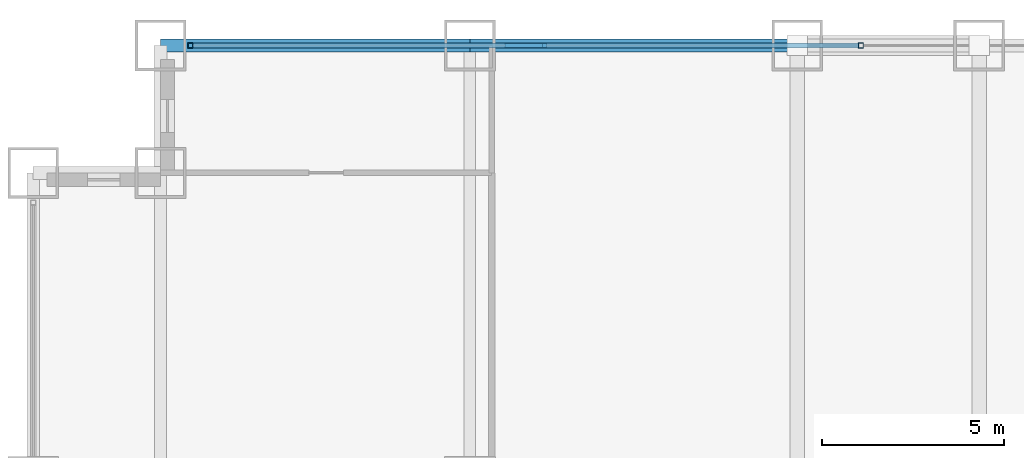
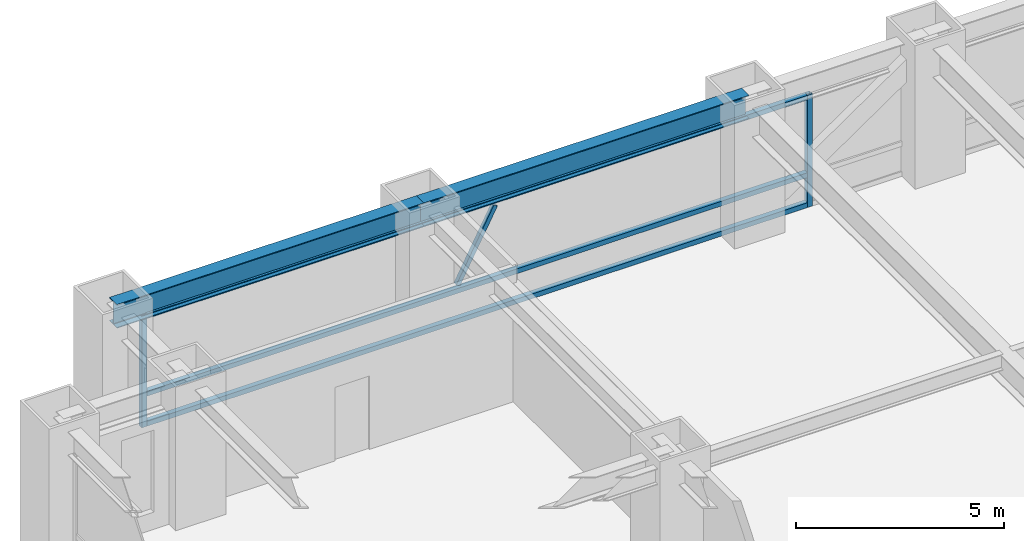
# One storey, part 19 of 28: 6 members, 2 beams, 1 element without a shape of its own.
"""IFC4 building model written with IfcOpenShell, lengths in metres."""

from ifc_helpers import new_model, si_unit, direction, frame, origin, origin_2d, place, context, subcontext, project, spatial, hollow_rectangle, i_section, extrude, source, transform, mapped, material, material_profile, profile_set, type_object, element, aggregate, save


model = new_model("IFC4")

# Units and contexts
model_context = context("Model", 3, precision=1e-05, world=origin(), true_north=direction((0.0, 1.0)))
body_context = subcontext(model_context, "Body", "Model", "MODEL_VIEW")
ifc_project = project(units=[si_unit("LENGTHUNIT", "METRE"), si_unit("AREAUNIT", "SQUARE_METRE"), si_unit("VOLUMEUNIT", "CUBIC_METRE"), si_unit("PLANEANGLEUNIT", "RADIAN"), si_unit("MASSUNIT", "GRAM", prefix="KILO")], contexts=[model_context])

# Site, building, storey
site_placement = place(None, origin())
site = spatial("IfcSite", under=ifc_project, at=site_placement, CompositionType="ELEMENT")
building_placement = place(site_placement, origin())
building = spatial("IfcBuilding", under=site, at=building_placement, Name="Khorayat Bourse Tower", CompositionType="ELEMENT")
storey_placement = place(building_placement, frame((0.0, 0.0, 62.0)))
storey = spatial("IfcBuildingStorey", under=building, at=storey_placement, Name="L13", CompositionType="ELEMENT", Elevation=62.0)

# Beams
ifc_material_1 = material(Name="Steel ASTM A992 Grade 50", Category="steel")
ifc_material_profile_1 = material_profile(ifc_material_1, i_section(OverallWidth=0.35498046875, OverallDepth=0.695068359375, WebThickness=0.015380859375, FlangeThickness=0.02490234375, FilletRadius=0.01806640625, at=origin_2d()), Name="W690X217")
ifc_profile_set_1 = profile_set([ifc_material_profile_1], Name="Steel ASTM A992 Grade 50")
beam_type = type_object("IfcBeamType", Name="BM-SPAN-690", PredefinedType="SPANDREL", material=ifc_profile_set_1)
shared_shape_1 = source(origin(), body_context, "Body", "SweptSolid", [
    extrude(i_section(OverallWidth=0.35498046875, OverallDepth=0.695068359375, WebThickness=0.015380859375, FlangeThickness=0.02490234375, FilletRadius=0.01806640625, at=origin_2d()), origin(), (0.0, 0.0, 1.0), 8.5),
])
beam_1_placement = place(storey_placement, frame((-28.5, 32.0, 3.592529296875), z_axis=(1.0, 0.0, 0.0), x_axis=(0.0, 1.0, 0.0)))
element("IfcBeam", 1, at=beam_1_placement, inside=storey, type_object=beam_type, Name="L13 BM-SPAN-690 BM-L13-SPN-051", PredefinedType="SPANDREL", context=body_context, shape_type="MappedRepresentation", body=[
    mapped(shared_shape_1, transform((0.0, 0.0, 0.0), scale=1.0)),
])
shared_shape_2 = source(origin(), body_context, "Body", "SweptSolid", [
    extrude(i_section(OverallWidth=0.35498046875, OverallDepth=0.695068359375, WebThickness=0.015380859375, FlangeThickness=0.02490234375, FilletRadius=0.01806640625, at=origin_2d()), origin(), (0.0, 0.0, 1.0), 9.0),
])
beam_2_placement = place(storey_placement, frame((-20.0, 32.0, 3.592529296875), z_axis=(1.0, 0.0, 0.0), x_axis=(0.0, 1.0, 0.0)))
element("IfcBeam", 2, at=beam_2_placement, inside=storey, type_object=beam_type, Name="L13 BM-SPAN-690 BM-L13-SPN-050", PredefinedType="SPANDREL", context=body_context, shape_type="MappedRepresentation", body=[
    mapped(shared_shape_2, transform((0.0, 0.0, 0.0), scale=1.0)),
])

# Curtain wall, members
ifc_material_2 = material(Name="Aluminium EN AW-6063 T6", Category="aluminium")
curtain_wall_type = type_object("IfcCurtainWallType", Name="CW-SYS-02", PredefinedType="NOTDEFINED", material=ifc_material_2)
curtain_wall_placement = place(storey_placement, origin())
curtain_wall = element("IfcCurtainWall", 3, at=curtain_wall_placement, inside=storey, type_object=curtain_wall_type, Name="L13 Curtain Wall CW-L13-N1", PredefinedType="NOTDEFINED")
ifc_material_profile_2 = material_profile(ifc_material_2, hollow_rectangle(XDim=0.139892578125, YDim=0.139892578125, WallThickness=0.006103515625, at=origin_2d()), Name="ALU 140x140x6")
ifc_profile_set_2 = profile_set([ifc_material_profile_2], Name="Aluminium EN AW-6063 T6")
member_type_1 = type_object("IfcMemberType", Name="CWT-HORZ-140", PredefinedType="USERDEFINED", material=ifc_profile_set_2)
shared_shape_3 = source(origin(), body_context, "Body", "SweptSolid", [
    extrude(hollow_rectangle(XDim=0.139892578125, YDim=0.139892578125, WallThickness=0.006103515625, at=origin_2d()), origin(), (0.0, 0.0, 1.0), 18.2900390625),
])
member_1_placement = place(storey_placement, frame((-27.610107421875, 32.0, 0.070068359375), z_axis=(1.0, 0.0, 0.0), x_axis=(0.0, 1.0, 0.0)))
member_1 = element("IfcMember", 4, at=member_1_placement, type_object=member_type_1, Name="CW-L13-N1 Horizontal Transom 1-1", ObjectType="TRANSOM", PredefinedType="USERDEFINED", context=body_context, shape_type="MappedRepresentation", body=[
    mapped(shared_shape_3, transform((0.0, 0.0, 0.0), scale=1.0)),
])
member_2_placement = place(storey_placement, frame((-27.610107421875, 32.0, 0.949951171875), z_axis=(1.0, 0.0, 0.0), x_axis=(0.0, 1.0, 0.0)))
member_2 = element("IfcMember", 5, at=member_2_placement, type_object=member_type_1, Name="CW-L13-N1 Horizontal Transom 1-2", ObjectType="TRANSOM", PredefinedType="USERDEFINED", context=body_context, shape_type="MappedRepresentation", body=[
    mapped(shared_shape_3, transform((0.0, 0.0, 0.0), scale=1.0)),
])
member_3_placement = place(storey_placement, frame((-27.610107421875, 32.0, 3.219970703125), z_axis=(1.0, 0.0, 0.0), x_axis=(0.0, 1.0, 0.0)))
member_3 = element("IfcMember", 6, at=member_3_placement, type_object=member_type_1, Name="CW-L13-N1 Horizontal Transom 1-3", ObjectType="TRANSOM", PredefinedType="USERDEFINED", context=body_context, shape_type="MappedRepresentation", body=[
    mapped(shared_shape_3, transform((0.0, 0.0, 0.0), scale=1.0)),
])
ifc_material_profile_3 = material_profile(ifc_material_2, hollow_rectangle(XDim=0.1201171875, YDim=0.1201171875, WallThickness=0.0048828125, at=origin_2d()), Name="ALU 120x120x5")
ifc_profile_set_3 = profile_set([ifc_material_profile_3], Name="Aluminium EN AW-6063 T6")
member_type_2 = type_object("IfcMemberType", Name="CWM-DIAG-120", PredefinedType="MULLION", material=ifc_profile_set_3)
shared_shape_4 = source(origin(), body_context, "Body", "SweptSolid", [
    extrude(hollow_rectangle(XDim=0.1201171875, YDim=0.1201171875, WallThickness=0.0048828125, at=origin_2d()), origin(), (0.0, 0.0, 1.0), 2.22607421875),
])
member_4_placement = place(storey_placement, frame((-18.9833984375, 32.0, 1.10009765625), z_axis=(0.465759992596, 0.0, 0.884911085532), x_axis=(0.0, 1.0, 0.0)))
member_4 = element("IfcMember", 7, at=member_4_placement, type_object=member_type_2, Name="CW-L13-N1 Faceted Diagonal Mullion 1", PredefinedType="MULLION", context=body_context, shape_type="MappedRepresentation", body=[
    mapped(shared_shape_4, transform((0.0, 0.0, 0.0), scale=1.0)),
])
ifc_material_profile_4 = material_profile(ifc_material_2, hollow_rectangle(XDim=0.139892578125, YDim=0.139892578125, WallThickness=0.006103515625, at=origin_2d()), Name="ALU 140x140x6")
ifc_profile_set_4 = profile_set([ifc_material_profile_4], Name="Aluminium EN AW-6063 T6")
member_type_3 = type_object("IfcMemberType", Name="CWM-VERT-140", PredefinedType="MULLION", material=ifc_profile_set_4)
shared_shape_5 = source(origin(), body_context, "Body", "SweptSolid", [
    extrude(hollow_rectangle(XDim=0.139892578125, YDim=0.139892578125, WallThickness=0.006103515625, at=origin_2d()), origin(), (0.0, 0.0, 1.0), 3.2900390625),
])
member_5_placement = place(storey_placement, frame((-27.679931640625, 32.0, 0.0), z_axis=(0.0, 0.0, 1.0), x_axis=(0.0, 1.0, 0.0)))
member_5 = element("IfcMember", 8, at=member_5_placement, type_object=member_type_3, Name="CW-L13-N1 Vertical Mullion 1", PredefinedType="MULLION", context=body_context, shape_type="MappedRepresentation", body=[
    mapped(shared_shape_5, transform((0.0, 0.0, 0.0), scale=1.0)),
])
member_6_placement = place(storey_placement, frame((-9.25, 32.0, 0.0), z_axis=(0.0, 0.0, 1.0), x_axis=(0.0, 1.0, 0.0)))
member_6 = element("IfcMember", 9, at=member_6_placement, type_object=member_type_3, Name="CW-L13-N1 Vertical Mullion 2", PredefinedType="MULLION", context=body_context, shape_type="MappedRepresentation", body=[
    mapped(shared_shape_5, transform((0.0, 0.0, 0.0), scale=1.0)),
])
aggregate(curtain_wall, [member_5, member_6, member_1, member_2, member_3, member_4])

save(model, "model.ifc")
